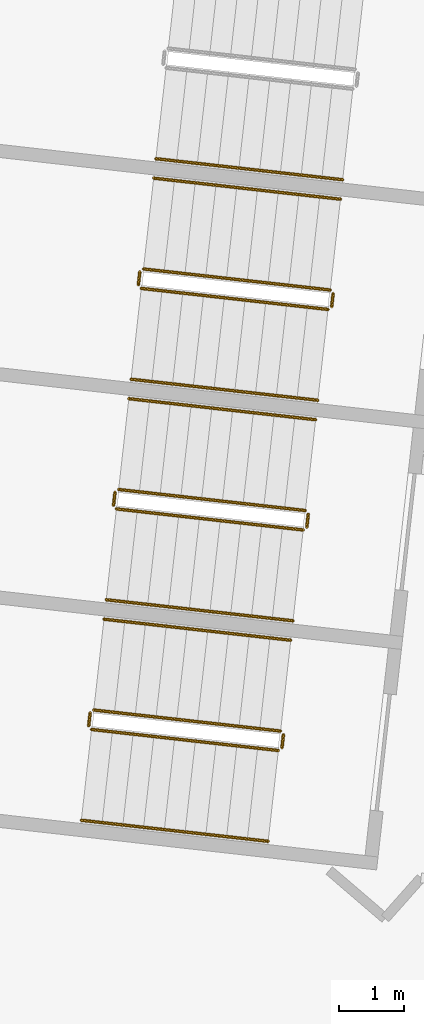
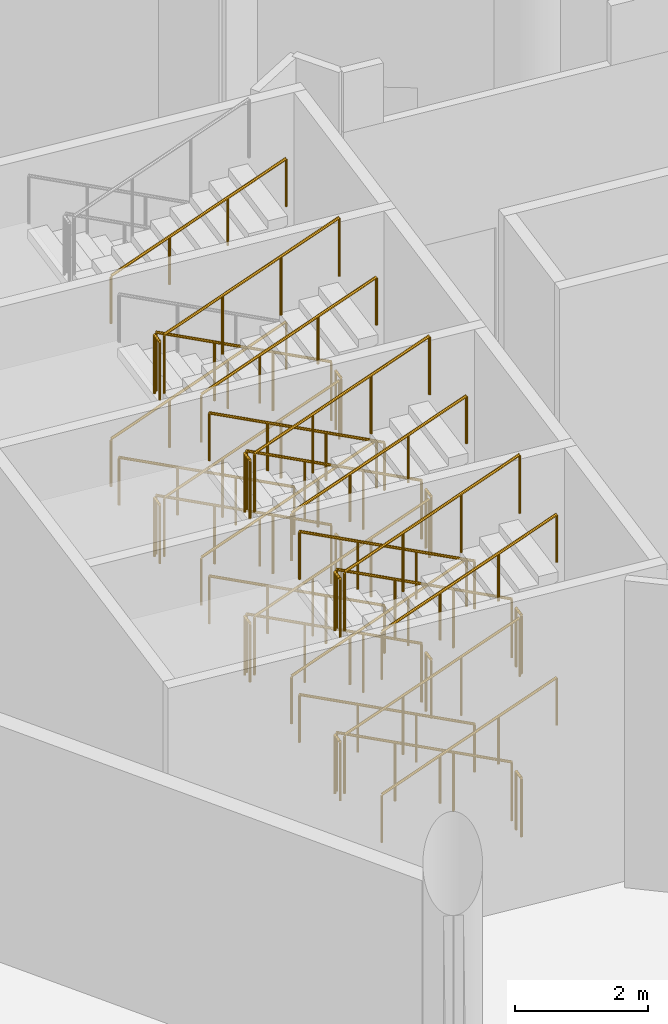
# One storey, part 231 of 249: 37 railings.
"""IFC4 building model written with IfcOpenShell, lengths in metres."""

from ifc_helpers import new_model, si_unit, direction, frame, origin, origin_2d, place, context, subcontext, project, spatial, circle, extrude, material, type_object, element, save


model = new_model("IFC4")

# Units and contexts
model_context = context("Model", 3, precision=1e-05, world=origin(), true_north=direction((0.0, 1.0)))
body_context = subcontext(model_context, "Body", "Model", "MODEL_VIEW")
ifc_project = project(units=[si_unit("LENGTHUNIT", "METRE"), si_unit("AREAUNIT", "SQUARE_METRE"), si_unit("VOLUMEUNIT", "CUBIC_METRE"), si_unit("PLANEANGLEUNIT", "RADIAN"), si_unit("MASSUNIT", "GRAM", prefix="KILO")], contexts=[model_context])

# Site, building, storey
site_placement = place(None, origin())
site = spatial("IfcSite", under=ifc_project, at=site_placement, CompositionType="ELEMENT")
building_placement = place(site_placement, origin())
building = spatial("IfcBuilding", under=site, at=building_placement, Name="Meseta Stadium", CompositionType="ELEMENT")
storey_placement = place(building_placement, frame((0.0, 0.0, 12.0)))
storey = spatial("IfcBuildingStorey", under=building, at=storey_placement, Name="L02", CompositionType="ELEMENT", Elevation=12.0)

# Railings
ifc_material_1 = material(Name="Steel S355", Category="steel")
railing_type_1 = type_object("IfcRailingType", Name="Stair guard 1100", PredefinedType="GUARDRAIL", material=ifc_material_1)
railing_1_placement = place(storey_placement, frame((-89.218017578125, 56.731201171875, 0.14990234375)))
element("IfcRailing", 1, at=railing_1_placement, inside=storey, type_object=railing_type_1, Name="ST58 L02 guard 1", PredefinedType="GUARDRAIL", context=body_context, shape_type="SweptSolid", body=[
    extrude(circle(Radius=0.02392578125, at=origin_2d()), frame((0.0, 0.0, 1.076171875), z_axis=(-0.899762522411, 0.101389259755, 0.424438006392), x_axis=(-0.11197578655, -0.993710935447, 0.0)), (0.0, 0.0, 1.0), 3.180908203125),
    extrude(circle(Radius=0.02099609375, at=origin_2d()), origin(), (0.0, 0.0, 1.0), 1.052001953125),
    extrude(circle(Radius=0.02099609375, at=origin_2d()), frame((-0.9541015625, 0.107421875, 0.449951171875)), (0.0, 0.0, 1.0), 1.052001953125),
    extrude(circle(Radius=0.02099609375, at=origin_2d()), frame((-1.907958984375, 0.215087890625, 0.900146484375)), (0.0, 0.0, 1.0), 1.052001953125),
    extrude(circle(Radius=0.02099609375, at=origin_2d()), frame((-2.862060546875, 0.322509765625, 1.35009765625)), (0.0, 0.0, 1.0), 1.052001953125),
])
railing_2_placement = place(storey_placement, frame((-92.13525390625, 57.009521484375, 1.5)))
element("IfcRailing", 2, at=railing_2_placement, inside=storey, type_object=railing_type_1, Name="ST58 L02 guard 2", PredefinedType="GUARDRAIL", context=body_context, shape_type="SweptSolid", body=[
    extrude(circle(Radius=0.02392578125, at=origin_2d()), frame((0.0, 0.0, 1.076171875), z_axis=(-0.112307083986, -0.993673547442, 0.0), x_axis=(0.993673547442, -0.112307083986, 0.0)), (0.0, 0.0, 1.0), 0.199951171875),
    extrude(circle(Radius=0.02099609375, at=origin_2d()), origin(), (0.0, 0.0, 1.0), 1.052001953125),
    extrude(circle(Radius=0.02099609375, at=origin_2d()), frame((-0.0224609375, -0.19873046875, 0.0)), (0.0, 0.0, 1.0), 1.052001953125),
])
railing_3_placement = place(storey_placement, frame((-92.113525390625, 56.755615234375, 1.64990234375)))
element("IfcRailing", 3, at=railing_3_placement, inside=storey, type_object=railing_type_1, Name="ST58 L02 guard 3", PredefinedType="GUARDRAIL", context=body_context, shape_type="SweptSolid", body=[
    extrude(circle(Radius=0.02392578125, at=origin_2d()), frame((0.0, 0.0, 1.076171875), z_axis=(0.899747905232, -0.10139626197, 0.424467319223), x_axis=(0.111985219376, 0.993709872468, 0.0)), (0.0, 0.0, 1.0), 3.1806640625),
    extrude(circle(Radius=0.02099609375, at=origin_2d()), origin(), (0.0, 0.0, 1.0), 1.052001953125),
    extrude(circle(Radius=0.02099609375, at=origin_2d()), frame((0.953857421875, -0.107421875, 0.449951171875)), (0.0, 0.0, 1.0), 1.052001953125),
    extrude(circle(Radius=0.02099609375, at=origin_2d()), frame((1.907958984375, -0.215087890625, 0.900146484375)), (0.0, 0.0, 1.0), 1.052001953125),
    extrude(circle(Radius=0.02099609375, at=origin_2d()), frame((2.86181640625, -0.322509765625, 1.35009765625)), (0.0, 0.0, 1.0), 1.052001953125),
])
railing_4_placement = place(storey_placement, frame((-89.174072265625, 56.676025390625, 3.0)))
element("IfcRailing", 4, at=railing_4_placement, inside=storey, type_object=railing_type_1, Name="ST58 L02 guard 4", PredefinedType="GUARDRAIL", context=body_context, shape_type="SweptSolid", body=[
    extrude(circle(Radius=0.02392578125, at=origin_2d()), frame((0.0, 0.0, 1.076171875), z_axis=(-0.111101504696, -0.993809063983, 0.0), x_axis=(0.993809063983, -0.111101504696, 0.0)), (0.0, 0.0, 1.0), 0.199951171875),
    extrude(circle(Radius=0.02099609375, at=origin_2d()), origin(), (0.0, 0.0, 1.0), 1.052001953125),
    extrude(circle(Radius=0.02099609375, at=origin_2d()), frame((-0.022216796875, -0.19873046875, 0.0)), (0.0, 0.0, 1.0), 1.052001953125),
])
railing_5_placement = place(storey_placement, frame((-89.218017578125, 56.731201171875, 3.14990234375)))
element("IfcRailing", 5, at=railing_5_placement, inside=storey, type_object=railing_type_1, Name="ST58 L02 guard 5", PredefinedType="GUARDRAIL", context=body_context, shape_type="SweptSolid", body=[
    extrude(circle(Radius=0.02392578125, at=origin_2d()), frame((0.0, 0.0, 1.076171875), z_axis=(-0.899762522411, 0.101389259755, 0.424438006392), x_axis=(-0.11197578655, -0.993710935447, 0.0)), (0.0, 0.0, 1.0), 3.180908203125),
    extrude(circle(Radius=0.02099609375, at=origin_2d()), origin(), (0.0, 0.0, 1.0), 1.052001953125),
    extrude(circle(Radius=0.02099609375, at=origin_2d()), frame((-0.9541015625, 0.107421875, 0.449951171875)), (0.0, 0.0, 1.0), 1.052001953125),
    extrude(circle(Radius=0.02099609375, at=origin_2d()), frame((-1.907958984375, 0.215087890625, 0.900146484375)), (0.0, 0.0, 1.0), 1.052001953125),
    extrude(circle(Radius=0.02099609375, at=origin_2d()), frame((-2.862060546875, 0.322509765625, 1.35009765625)), (0.0, 0.0, 1.0), 1.052001953125),
])
railing_6_placement = place(storey_placement, frame((-92.13525390625, 57.009521484375, 4.5)))
element("IfcRailing", 6, at=railing_6_placement, inside=storey, type_object=railing_type_1, Name="ST58 L02 guard 6", PredefinedType="GUARDRAIL", context=body_context, shape_type="SweptSolid", body=[
    extrude(circle(Radius=0.02392578125, at=origin_2d()), frame((0.0, 0.0, 1.076171875), z_axis=(-0.112307083986, -0.993673547442, 0.0), x_axis=(0.993673547442, -0.112307083986, 0.0)), (0.0, 0.0, 1.0), 0.199951171875),
    extrude(circle(Radius=0.02099609375, at=origin_2d()), origin(), (0.0, 0.0, 1.0), 1.052001953125),
    extrude(circle(Radius=0.02099609375, at=origin_2d()), frame((-0.0224609375, -0.19873046875, 0.0)), (0.0, 0.0, 1.0), 1.052001953125),
])
railing_7_placement = place(storey_placement, frame((-92.113525390625, 56.755615234375, 4.64990234375)))
element("IfcRailing", 7, at=railing_7_placement, inside=storey, type_object=railing_type_1, Name="ST58 L02 guard 7", PredefinedType="GUARDRAIL", context=body_context, shape_type="SweptSolid", body=[
    extrude(circle(Radius=0.02392578125, at=origin_2d()), frame((0.0, 0.0, 1.076171875), z_axis=(0.899747905232, -0.10139626197, 0.424467319223), x_axis=(0.111985219376, 0.993709872468, 0.0)), (0.0, 0.0, 1.0), 3.1806640625),
    extrude(circle(Radius=0.02099609375, at=origin_2d()), origin(), (0.0, 0.0, 1.0), 1.052001953125),
    extrude(circle(Radius=0.02099609375, at=origin_2d()), frame((0.953857421875, -0.107421875, 0.449951171875)), (0.0, 0.0, 1.0), 1.052001953125),
    extrude(circle(Radius=0.02099609375, at=origin_2d()), frame((1.907958984375, -0.215087890625, 0.900146484375)), (0.0, 0.0, 1.0), 1.052001953125),
    extrude(circle(Radius=0.02099609375, at=origin_2d()), frame((2.86181640625, -0.322509765625, 1.35009765625)), (0.0, 0.0, 1.0), 1.052001953125),
])
railing_8_placement = place(storey_placement, frame((-89.174072265625, 56.676025390625, 0.0)))
element("IfcRailing", 8, at=railing_8_placement, inside=storey, type_object=railing_type_1, Name="ST58 L02 guard 8", PredefinedType="GUARDRAIL", context=body_context, shape_type="SweptSolid", body=[
    extrude(circle(Radius=0.02392578125, at=origin_2d()), frame((0.0, 0.0, 1.076171875), z_axis=(-0.111101504696, -0.993809063983, 0.0), x_axis=(0.993809063983, -0.111101504696, 0.0)), (0.0, 0.0, 1.0), 0.199951171875),
    extrude(circle(Radius=0.02099609375, at=origin_2d()), origin(), (0.0, 0.0, 1.0), 1.052001953125),
    extrude(circle(Radius=0.02099609375, at=origin_2d()), frame((-0.022216796875, -0.19873046875, 0.0)), (0.0, 0.0, 1.0), 1.052001953125),
])
railing_9_placement = place(storey_placement, frame((-89.598876953125, 53.3525390625, 0.14990234375)))
element("IfcRailing", 9, at=railing_9_placement, inside=storey, type_object=railing_type_1, Name="ST59 L02 guard 1", PredefinedType="GUARDRAIL", context=body_context, shape_type="SweptSolid", body=[
    extrude(circle(Radius=0.02392578125, at=origin_2d()), frame((0.0, 0.0, 1.076171875), z_axis=(-0.899747905232, 0.10139626197, 0.424467319223), x_axis=(-0.111985219376, -0.993709872468, 0.0)), (0.0, 0.0, 1.0), 3.1806640625),
    extrude(circle(Radius=0.02099609375, at=origin_2d()), origin(), (0.0, 0.0, 1.0), 1.052001953125),
    extrude(circle(Radius=0.02099609375, at=origin_2d()), frame((-0.953857421875, 0.107421875, 0.449951171875)), (0.0, 0.0, 1.0), 1.052001953125),
    extrude(circle(Radius=0.02099609375, at=origin_2d()), frame((-1.907958984375, 0.215087890625, 0.900146484375)), (0.0, 0.0, 1.0), 1.052001953125),
    extrude(circle(Radius=0.02099609375, at=origin_2d()), frame((-2.86181640625, 0.322509765625, 1.35009765625)), (0.0, 0.0, 1.0), 1.052001953125),
])
railing_10_placement = place(storey_placement, frame((-92.515869140625, 53.630859375, 1.5)))
element("IfcRailing", 10, at=railing_10_placement, inside=storey, type_object=railing_type_1, Name="ST59 L02 guard 2", PredefinedType="GUARDRAIL", context=body_context, shape_type="SweptSolid", body=[
    extrude(circle(Radius=0.02392578125, at=origin_2d()), frame((0.0, 0.0, 1.076171875), z_axis=(-0.112307083986, -0.993673547442, 0.0), x_axis=(0.993673547442, -0.112307083986, 0.0)), (0.0, 0.0, 1.0), 0.199951171875),
    extrude(circle(Radius=0.02099609375, at=origin_2d()), origin(), (0.0, 0.0, 1.0), 1.052001953125),
    extrude(circle(Radius=0.02099609375, at=origin_2d()), frame((-0.0224609375, -0.19873046875, 0.0)), (0.0, 0.0, 1.0), 1.052001953125),
])
railing_11_placement = place(storey_placement, frame((-92.494140625, 53.376953125, 1.64990234375)))
element("IfcRailing", 11, at=railing_11_placement, inside=storey, type_object=railing_type_1, Name="ST59 L02 guard 3", PredefinedType="GUARDRAIL", context=body_context, shape_type="SweptSolid", body=[
    extrude(circle(Radius=0.02392578125, at=origin_2d()), frame((0.0, 0.0, 1.076171875), z_axis=(0.899747905232, -0.10139626197, 0.424467319223), x_axis=(0.111985219376, 0.993709872468, 0.0)), (0.0, 0.0, 1.0), 3.1806640625),
    extrude(circle(Radius=0.02099609375, at=origin_2d()), origin(), (0.0, 0.0, 1.0), 1.052001953125),
    extrude(circle(Radius=0.02099609375, at=origin_2d()), frame((0.953857421875, -0.107421875, 0.449951171875)), (0.0, 0.0, 1.0), 1.052001953125),
    extrude(circle(Radius=0.02099609375, at=origin_2d()), frame((1.907958984375, -0.215087890625, 0.900146484375)), (0.0, 0.0, 1.0), 1.052001953125),
    extrude(circle(Radius=0.02099609375, at=origin_2d()), frame((2.86181640625, -0.322509765625, 1.35009765625)), (0.0, 0.0, 1.0), 1.052001953125),
])
railing_12_placement = place(storey_placement, frame((-89.5546875, 53.29736328125, 3.0)))
element("IfcRailing", 12, at=railing_12_placement, inside=storey, type_object=railing_type_1, Name="ST59 L02 guard 4", PredefinedType="GUARDRAIL", context=body_context, shape_type="SweptSolid", body=[
    extrude(circle(Radius=0.02392578125, at=origin_2d()), frame((0.0, 0.0, 1.076171875), z_axis=(-0.112307083986, -0.993673547442, 0.0), x_axis=(0.993673547442, -0.112307083986, 0.0)), (0.0, 0.0, 1.0), 0.199951171875),
    extrude(circle(Radius=0.02099609375, at=origin_2d()), origin(), (0.0, 0.0, 1.0), 1.052001953125),
    extrude(circle(Radius=0.02099609375, at=origin_2d()), frame((-0.0224609375, -0.19873046875, 0.0)), (0.0, 0.0, 1.0), 1.052001953125),
])
railing_13_placement = place(storey_placement, frame((-89.598876953125, 53.3525390625, 3.14990234375)))
element("IfcRailing", 13, at=railing_13_placement, inside=storey, type_object=railing_type_1, Name="ST59 L02 guard 5", PredefinedType="GUARDRAIL", context=body_context, shape_type="SweptSolid", body=[
    extrude(circle(Radius=0.02392578125, at=origin_2d()), frame((0.0, 0.0, 1.076171875), z_axis=(-0.899747905232, 0.10139626197, 0.424467319223), x_axis=(-0.111985219376, -0.993709872468, 0.0)), (0.0, 0.0, 1.0), 3.1806640625),
    extrude(circle(Radius=0.02099609375, at=origin_2d()), origin(), (0.0, 0.0, 1.0), 1.052001953125),
    extrude(circle(Radius=0.02099609375, at=origin_2d()), frame((-0.953857421875, 0.107421875, 0.449951171875)), (0.0, 0.0, 1.0), 1.052001953125),
    extrude(circle(Radius=0.02099609375, at=origin_2d()), frame((-1.907958984375, 0.215087890625, 0.900146484375)), (0.0, 0.0, 1.0), 1.052001953125),
    extrude(circle(Radius=0.02099609375, at=origin_2d()), frame((-2.86181640625, 0.322509765625, 1.35009765625)), (0.0, 0.0, 1.0), 1.052001953125),
])
railing_14_placement = place(storey_placement, frame((-92.515869140625, 53.630859375, 4.5)))
element("IfcRailing", 14, at=railing_14_placement, inside=storey, type_object=railing_type_1, Name="ST59 L02 guard 6", PredefinedType="GUARDRAIL", context=body_context, shape_type="SweptSolid", body=[
    extrude(circle(Radius=0.02392578125, at=origin_2d()), frame((0.0, 0.0, 1.076171875), z_axis=(-0.112307083986, -0.993673547442, 0.0), x_axis=(0.993673547442, -0.112307083986, 0.0)), (0.0, 0.0, 1.0), 0.199951171875),
    extrude(circle(Radius=0.02099609375, at=origin_2d()), origin(), (0.0, 0.0, 1.0), 1.052001953125),
    extrude(circle(Radius=0.02099609375, at=origin_2d()), frame((-0.0224609375, -0.19873046875, 0.0)), (0.0, 0.0, 1.0), 1.052001953125),
])
railing_15_placement = place(storey_placement, frame((-92.494140625, 53.376953125, 4.64990234375)))
element("IfcRailing", 15, at=railing_15_placement, inside=storey, type_object=railing_type_1, Name="ST59 L02 guard 7", PredefinedType="GUARDRAIL", context=body_context, shape_type="SweptSolid", body=[
    extrude(circle(Radius=0.02392578125, at=origin_2d()), frame((0.0, 0.0, 1.076171875), z_axis=(0.899747905232, -0.10139626197, 0.424467319223), x_axis=(0.111985219376, 0.993709872468, 0.0)), (0.0, 0.0, 1.0), 3.1806640625),
    extrude(circle(Radius=0.02099609375, at=origin_2d()), origin(), (0.0, 0.0, 1.0), 1.052001953125),
    extrude(circle(Radius=0.02099609375, at=origin_2d()), frame((0.953857421875, -0.107421875, 0.449951171875)), (0.0, 0.0, 1.0), 1.052001953125),
    extrude(circle(Radius=0.02099609375, at=origin_2d()), frame((1.907958984375, -0.215087890625, 0.900146484375)), (0.0, 0.0, 1.0), 1.052001953125),
    extrude(circle(Radius=0.02099609375, at=origin_2d()), frame((2.86181640625, -0.322509765625, 1.35009765625)), (0.0, 0.0, 1.0), 1.052001953125),
])
railing_16_placement = place(storey_placement, frame((-89.5546875, 53.29736328125, 0.0)))
element("IfcRailing", 16, at=railing_16_placement, inside=storey, type_object=railing_type_1, Name="ST59 L02 guard 8", PredefinedType="GUARDRAIL", context=body_context, shape_type="SweptSolid", body=[
    extrude(circle(Radius=0.02392578125, at=origin_2d()), frame((0.0, 0.0, 1.076171875), z_axis=(-0.112307083986, -0.993673547442, 0.0), x_axis=(0.993673547442, -0.112307083986, 0.0)), (0.0, 0.0, 1.0), 0.199951171875),
    extrude(circle(Radius=0.02099609375, at=origin_2d()), origin(), (0.0, 0.0, 1.0), 1.052001953125),
    extrude(circle(Radius=0.02099609375, at=origin_2d()), frame((-0.0224609375, -0.19873046875, 0.0)), (0.0, 0.0, 1.0), 1.052001953125),
])
railing_17_placement = place(storey_placement, frame((-89.9794921875, 49.973876953125, 0.14990234375)))
element("IfcRailing", 17, at=railing_17_placement, inside=storey, type_object=railing_type_1, Name="ST60 L02 guard 1", PredefinedType="GUARDRAIL", context=body_context, shape_type="SweptSolid", body=[
    extrude(circle(Radius=0.02392578125, at=origin_2d()), frame((0.0, 0.0, 1.076171875), z_axis=(-0.899747905232, 0.10139626197, 0.424467319223), x_axis=(-0.111985219376, -0.993709872468, 0.0)), (0.0, 0.0, 1.0), 3.1806640625),
    extrude(circle(Radius=0.02099609375, at=origin_2d()), origin(), (0.0, 0.0, 1.0), 1.052001953125),
    extrude(circle(Radius=0.02099609375, at=origin_2d()), frame((-0.953857421875, 0.107421875, 0.449951171875)), (0.0, 0.0, 1.0), 1.052001953125),
    extrude(circle(Radius=0.02099609375, at=origin_2d()), frame((-1.907958984375, 0.215087890625, 0.900146484375)), (0.0, 0.0, 1.0), 1.052001953125),
    extrude(circle(Radius=0.02099609375, at=origin_2d()), frame((-2.86181640625, 0.322509765625, 1.35009765625)), (0.0, 0.0, 1.0), 1.052001953125),
])
railing_18_placement = place(storey_placement, frame((-92.896728515625, 50.25244140625, 1.5)))
element("IfcRailing", 18, at=railing_18_placement, inside=storey, type_object=railing_type_1, Name="ST60 L02 guard 2", PredefinedType="GUARDRAIL", context=body_context, shape_type="SweptSolid", body=[
    extrude(circle(Radius=0.02392578125, at=origin_2d()), frame((0.0, 0.0, 1.076171875), z_axis=(-0.111101504696, -0.993809063983, 0.0), x_axis=(0.993809063983, -0.111101504696, 0.0)), (0.0, 0.0, 1.0), 0.199951171875),
    extrude(circle(Radius=0.02099609375, at=origin_2d()), origin(), (0.0, 0.0, 1.0), 1.052001953125),
    extrude(circle(Radius=0.02099609375, at=origin_2d()), frame((-0.022216796875, -0.19873046875, 0.0)), (0.0, 0.0, 1.0), 1.052001953125),
])
railing_19_placement = place(storey_placement, frame((-92.875, 49.998291015625, 1.64990234375)))
element("IfcRailing", 19, at=railing_19_placement, inside=storey, type_object=railing_type_1, Name="ST60 L02 guard 3", PredefinedType="GUARDRAIL", context=body_context, shape_type="SweptSolid", body=[
    extrude(circle(Radius=0.02392578125, at=origin_2d()), frame((0.0, 0.0, 1.076171875), z_axis=(0.899762522411, -0.101389259755, 0.424438006392), x_axis=(0.11197578655, 0.993710935447, 0.0)), (0.0, 0.0, 1.0), 3.180908203125),
    extrude(circle(Radius=0.02099609375, at=origin_2d()), origin(), (0.0, 0.0, 1.0), 1.052001953125),
    extrude(circle(Radius=0.02099609375, at=origin_2d()), frame((0.9541015625, -0.107421875, 0.449951171875)), (0.0, 0.0, 1.0), 1.052001953125),
    extrude(circle(Radius=0.02099609375, at=origin_2d()), frame((1.907958984375, -0.215087890625, 0.900146484375)), (0.0, 0.0, 1.0), 1.052001953125),
    extrude(circle(Radius=0.02099609375, at=origin_2d()), frame((2.862060546875, -0.322509765625, 1.35009765625)), (0.0, 0.0, 1.0), 1.052001953125),
])
railing_20_placement = place(storey_placement, frame((-89.935302734375, 49.918701171875, 3.0)))
element("IfcRailing", 20, at=railing_20_placement, inside=storey, type_object=railing_type_1, Name="ST60 L02 guard 4", PredefinedType="GUARDRAIL", context=body_context, shape_type="SweptSolid", body=[
    extrude(circle(Radius=0.02392578125, at=origin_2d()), frame((0.0, 0.0, 1.076171875), z_axis=(-0.112307083986, -0.993673547442, 0.0), x_axis=(0.993673547442, -0.112307083986, 0.0)), (0.0, 0.0, 1.0), 0.199951171875),
    extrude(circle(Radius=0.02099609375, at=origin_2d()), origin(), (0.0, 0.0, 1.0), 1.052001953125),
    extrude(circle(Radius=0.02099609375, at=origin_2d()), frame((-0.0224609375, -0.19873046875, 0.0)), (0.0, 0.0, 1.0), 1.052001953125),
])
railing_21_placement = place(storey_placement, frame((-89.9794921875, 49.973876953125, 3.14990234375)))
element("IfcRailing", 21, at=railing_21_placement, inside=storey, type_object=railing_type_1, Name="ST60 L02 guard 5", PredefinedType="GUARDRAIL", context=body_context, shape_type="SweptSolid", body=[
    extrude(circle(Radius=0.02392578125, at=origin_2d()), frame((0.0, 0.0, 1.076171875), z_axis=(-0.899747905232, 0.10139626197, 0.424467319223), x_axis=(-0.111985219376, -0.993709872468, 0.0)), (0.0, 0.0, 1.0), 3.1806640625),
    extrude(circle(Radius=0.02099609375, at=origin_2d()), origin(), (0.0, 0.0, 1.0), 1.052001953125),
    extrude(circle(Radius=0.02099609375, at=origin_2d()), frame((-0.953857421875, 0.107421875, 0.449951171875)), (0.0, 0.0, 1.0), 1.052001953125),
    extrude(circle(Radius=0.02099609375, at=origin_2d()), frame((-1.907958984375, 0.215087890625, 0.900146484375)), (0.0, 0.0, 1.0), 1.052001953125),
    extrude(circle(Radius=0.02099609375, at=origin_2d()), frame((-2.86181640625, 0.322509765625, 1.35009765625)), (0.0, 0.0, 1.0), 1.052001953125),
])
railing_22_placement = place(storey_placement, frame((-92.896728515625, 50.25244140625, 4.5)))
element("IfcRailing", 22, at=railing_22_placement, inside=storey, type_object=railing_type_1, Name="ST60 L02 guard 6", PredefinedType="GUARDRAIL", context=body_context, shape_type="SweptSolid", body=[
    extrude(circle(Radius=0.02392578125, at=origin_2d()), frame((0.0, 0.0, 1.076171875), z_axis=(-0.111101504696, -0.993809063983, 0.0), x_axis=(0.993809063983, -0.111101504696, 0.0)), (0.0, 0.0, 1.0), 0.199951171875),
    extrude(circle(Radius=0.02099609375, at=origin_2d()), origin(), (0.0, 0.0, 1.0), 1.052001953125),
    extrude(circle(Radius=0.02099609375, at=origin_2d()), frame((-0.022216796875, -0.19873046875, 0.0)), (0.0, 0.0, 1.0), 1.052001953125),
])
railing_23_placement = place(storey_placement, frame((-92.875, 49.998291015625, 4.64990234375)))
element("IfcRailing", 23, at=railing_23_placement, inside=storey, type_object=railing_type_1, Name="ST60 L02 guard 7", PredefinedType="GUARDRAIL", context=body_context, shape_type="SweptSolid", body=[
    extrude(circle(Radius=0.02392578125, at=origin_2d()), frame((0.0, 0.0, 1.076171875), z_axis=(0.899762522411, -0.101389259755, 0.424438006392), x_axis=(0.11197578655, 0.993710935447, 0.0)), (0.0, 0.0, 1.0), 3.180908203125),
    extrude(circle(Radius=0.02099609375, at=origin_2d()), origin(), (0.0, 0.0, 1.0), 1.052001953125),
    extrude(circle(Radius=0.02099609375, at=origin_2d()), frame((0.9541015625, -0.107421875, 0.449951171875)), (0.0, 0.0, 1.0), 1.052001953125),
    extrude(circle(Radius=0.02099609375, at=origin_2d()), frame((1.907958984375, -0.215087890625, 0.900146484375)), (0.0, 0.0, 1.0), 1.052001953125),
    extrude(circle(Radius=0.02099609375, at=origin_2d()), frame((2.862060546875, -0.322509765625, 1.35009765625)), (0.0, 0.0, 1.0), 1.052001953125),
])
railing_24_placement = place(storey_placement, frame((-89.935302734375, 49.918701171875, 0.0)))
element("IfcRailing", 24, at=railing_24_placement, inside=storey, type_object=railing_type_1, Name="ST60 L02 guard 8", PredefinedType="GUARDRAIL", context=body_context, shape_type="SweptSolid", body=[
    extrude(circle(Radius=0.02392578125, at=origin_2d()), frame((0.0, 0.0, 1.076171875), z_axis=(-0.112307083986, -0.993673547442, 0.0), x_axis=(0.993673547442, -0.112307083986, 0.0)), (0.0, 0.0, 1.0), 0.199951171875),
    extrude(circle(Radius=0.02099609375, at=origin_2d()), origin(), (0.0, 0.0, 1.0), 1.052001953125),
    extrude(circle(Radius=0.02099609375, at=origin_2d()), frame((-0.0224609375, -0.19873046875, 0.0)), (0.0, 0.0, 1.0), 1.052001953125),
])
ifc_material_2 = material(Name="Steel S355", Category="steel")
railing_type_2 = type_object("IfcRailingType", Name="Stair handrail 900", PredefinedType="HANDRAIL", material=ifc_material_2)
for number, where, name in (
    (25, (-91.8896484375, 58.742919921875, 1.64990234375), "ST57 L02 handrail 2"),
    (26, (-91.8896484375, 58.742919921875, 4.64990234375), "ST57 L02 handrail 4"),
):
    element("IfcRailing", number, at=place(storey_placement, frame(where)), inside=storey, type_object=railing_type_2, Name=name, PredefinedType="HANDRAIL", context=body_context, shape_type="SweptSolid", body=[
        extrude(circle(Radius=0.02392578125, at=origin_2d()), frame((0.0, 0.0, 0.8759765625), z_axis=(0.899747905232, -0.10139626197, 0.424467319223), x_axis=(0.111985219376, 0.993709872468, 0.0)), (0.0, 0.0, 1.0), 3.1806640625),
        extrude(circle(Radius=0.02099609375, at=origin_2d()), origin(), (0.0, 0.0, 1.0), 0.851806640625),
        extrude(circle(Radius=0.02099609375, at=origin_2d()), frame((0.953857421875, -0.107421875, 0.449951171875)), (0.0, 0.0, 1.0), 0.851806640625),
        extrude(circle(Radius=0.02099609375, at=origin_2d()), frame((1.907958984375, -0.215087890625, 0.900146484375)), (0.0, 0.0, 1.0), 0.851806640625),
        extrude(circle(Radius=0.02099609375, at=origin_2d()), frame((2.86181640625, -0.322509765625, 1.35009765625)), (0.0, 0.0, 1.0), 0.851806640625),
    ])
railing_25_placement = place(storey_placement, frame((-89.061279296875, 58.122314453125, 0.14990234375)))
element("IfcRailing", 27, at=railing_25_placement, inside=storey, type_object=railing_type_2, Name="ST58 L02 handrail 1", PredefinedType="HANDRAIL", context=body_context, shape_type="SweptSolid", body=[
    extrude(circle(Radius=0.02392578125, at=origin_2d()), frame((0.0, 0.0, 0.8759765625), z_axis=(-0.899762522411, 0.101389259755, 0.424438006392), x_axis=(-0.11197578655, -0.993710935447, 0.0)), (0.0, 0.0, 1.0), 3.180908203125),
    extrude(circle(Radius=0.02099609375, at=origin_2d()), origin(), (0.0, 0.0, 1.0), 0.851806640625),
    extrude(circle(Radius=0.02099609375, at=origin_2d()), frame((-0.9541015625, 0.107421875, 0.449951171875)), (0.0, 0.0, 1.0), 0.851806640625),
    extrude(circle(Radius=0.02099609375, at=origin_2d()), frame((-1.907958984375, 0.215087890625, 0.900146484375)), (0.0, 0.0, 1.0), 0.851806640625),
    extrude(circle(Radius=0.02099609375, at=origin_2d()), frame((-2.862060546875, 0.322509765625, 1.35009765625)), (0.0, 0.0, 1.0), 0.851806640625),
])
for number, where, name in (
    (28, (-92.270263671875, 55.3642578125, 1.64990234375), "ST58 L02 handrail 2"),
    (29, (-92.270263671875, 55.3642578125, 4.64990234375), "ST58 L02 handrail 4"),
):
    element("IfcRailing", number, at=place(storey_placement, frame(where)), inside=storey, type_object=railing_type_2, Name=name, PredefinedType="HANDRAIL", context=body_context, shape_type="SweptSolid", body=[
        extrude(circle(Radius=0.02392578125, at=origin_2d()), frame((0.0, 0.0, 0.8759765625), z_axis=(0.899754905305, -0.101320293039, 0.424470621595), x_axis=(0.111901508232, 0.993719302648, 0.0)), (0.0, 0.0, 1.0), 3.1806640625),
        extrude(circle(Radius=0.02099609375, at=origin_2d()), origin(), (0.0, 0.0, 1.0), 0.851806640625),
        extrude(circle(Radius=0.02099609375, at=origin_2d()), frame((0.953857421875, -0.107421875, 0.449951171875)), (0.0, 0.0, 1.0), 0.851806640625),
        extrude(circle(Radius=0.02099609375, at=origin_2d()), frame((1.907958984375, -0.21484375, 0.900146484375)), (0.0, 0.0, 1.0), 0.851806640625),
        extrude(circle(Radius=0.02099609375, at=origin_2d()), frame((2.86181640625, -0.322265625, 1.35009765625)), (0.0, 0.0, 1.0), 0.851806640625),
    ])
railing_26_placement = place(storey_placement, frame((-89.442138671875, 54.743896484375, 0.14990234375)))
element("IfcRailing", 30, at=railing_26_placement, inside=storey, type_object=railing_type_2, Name="ST59 L02 handrail 1", PredefinedType="HANDRAIL", context=body_context, shape_type="SweptSolid", body=[
    extrude(circle(Radius=0.02392578125, at=origin_2d()), frame((0.0, 0.0, 0.8759765625), z_axis=(-0.899754905305, 0.101320293039, 0.424470621595), x_axis=(-0.111901508232, -0.993719302648, 0.0)), (0.0, 0.0, 1.0), 3.1806640625),
    extrude(circle(Radius=0.02099609375, at=origin_2d()), origin(), (0.0, 0.0, 1.0), 0.851806640625),
    extrude(circle(Radius=0.02099609375, at=origin_2d()), frame((-0.953857421875, 0.107421875, 0.449951171875)), (0.0, 0.0, 1.0), 0.851806640625),
    extrude(circle(Radius=0.02099609375, at=origin_2d()), frame((-1.907958984375, 0.21484375, 0.900146484375)), (0.0, 0.0, 1.0), 0.851806640625),
    extrude(circle(Radius=0.02099609375, at=origin_2d()), frame((-2.86181640625, 0.322265625, 1.35009765625)), (0.0, 0.0, 1.0), 0.851806640625),
])
railing_27_placement = place(storey_placement, frame((-92.65087890625, 51.98583984375, 1.64990234375)))
element("IfcRailing", 31, at=railing_27_placement, inside=storey, type_object=railing_type_2, Name="ST59 L02 handrail 2", PredefinedType="HANDRAIL", context=body_context, shape_type="SweptSolid", body=[
    extrude(circle(Radius=0.02392578125, at=origin_2d()), frame((0.0, 0.0, 0.8759765625), z_axis=(0.899747905232, -0.10139626197, 0.424467319223), x_axis=(0.111985219376, 0.993709872468, 0.0)), (0.0, 0.0, 1.0), 3.1806640625),
    extrude(circle(Radius=0.02099609375, at=origin_2d()), origin(), (0.0, 0.0, 1.0), 0.851806640625),
    extrude(circle(Radius=0.02099609375, at=origin_2d()), frame((0.953857421875, -0.107421875, 0.449951171875)), (0.0, 0.0, 1.0), 0.851806640625),
    extrude(circle(Radius=0.02099609375, at=origin_2d()), frame((1.907958984375, -0.215087890625, 0.900146484375)), (0.0, 0.0, 1.0), 0.851806640625),
    extrude(circle(Radius=0.02099609375, at=origin_2d()), frame((2.86181640625, -0.322509765625, 1.35009765625)), (0.0, 0.0, 1.0), 0.851806640625),
])
railing_28_placement = place(storey_placement, frame((-89.442138671875, 54.743896484375, 3.14990234375)))
element("IfcRailing", 32, at=railing_28_placement, inside=storey, type_object=railing_type_2, Name="ST59 L02 handrail 3", PredefinedType="HANDRAIL", context=body_context, shape_type="SweptSolid", body=[
    extrude(circle(Radius=0.02392578125, at=origin_2d()), frame((0.0, 0.0, 0.8759765625), z_axis=(-0.899754905305, 0.101320293039, 0.424470621595), x_axis=(-0.111901508232, -0.993719302648, 0.0)), (0.0, 0.0, 1.0), 3.1806640625),
    extrude(circle(Radius=0.02099609375, at=origin_2d()), origin(), (0.0, 0.0, 1.0), 0.851806640625),
    extrude(circle(Radius=0.02099609375, at=origin_2d()), frame((-0.953857421875, 0.107421875, 0.449951171875)), (0.0, 0.0, 1.0), 0.851806640625),
    extrude(circle(Radius=0.02099609375, at=origin_2d()), frame((-1.907958984375, 0.21484375, 0.900146484375)), (0.0, 0.0, 1.0), 0.851806640625),
    extrude(circle(Radius=0.02099609375, at=origin_2d()), frame((-2.86181640625, 0.322265625, 1.35009765625)), (0.0, 0.0, 1.0), 0.851806640625),
])
railing_29_placement = place(storey_placement, frame((-92.65087890625, 51.98583984375, 4.64990234375)))
element("IfcRailing", 33, at=railing_29_placement, inside=storey, type_object=railing_type_2, Name="ST59 L02 handrail 4", PredefinedType="HANDRAIL", context=body_context, shape_type="SweptSolid", body=[
    extrude(circle(Radius=0.02392578125, at=origin_2d()), frame((0.0, 0.0, 0.8759765625), z_axis=(0.899747905232, -0.10139626197, 0.424467319223), x_axis=(0.111985219376, 0.993709872468, 0.0)), (0.0, 0.0, 1.0), 3.1806640625),
    extrude(circle(Radius=0.02099609375, at=origin_2d()), origin(), (0.0, 0.0, 1.0), 0.851806640625),
    extrude(circle(Radius=0.02099609375, at=origin_2d()), frame((0.953857421875, -0.107421875, 0.449951171875)), (0.0, 0.0, 1.0), 0.851806640625),
    extrude(circle(Radius=0.02099609375, at=origin_2d()), frame((1.907958984375, -0.215087890625, 0.900146484375)), (0.0, 0.0, 1.0), 0.851806640625),
    extrude(circle(Radius=0.02099609375, at=origin_2d()), frame((2.86181640625, -0.322509765625, 1.35009765625)), (0.0, 0.0, 1.0), 0.851806640625),
])
railing_30_placement = place(storey_placement, frame((-89.82275390625, 51.365234375, 0.14990234375)))
element("IfcRailing", 34, at=railing_30_placement, inside=storey, type_object=railing_type_2, Name="ST60 L02 handrail 1", PredefinedType="HANDRAIL", context=body_context, shape_type="SweptSolid", body=[
    extrude(circle(Radius=0.02392578125, at=origin_2d()), frame((0.0, 0.0, 0.8759765625), z_axis=(-0.899747905232, 0.10139626197, 0.424467319223), x_axis=(-0.111985219376, -0.993709872468, 0.0)), (0.0, 0.0, 1.0), 3.1806640625),
    extrude(circle(Radius=0.02099609375, at=origin_2d()), origin(), (0.0, 0.0, 1.0), 0.851806640625),
    extrude(circle(Radius=0.02099609375, at=origin_2d()), frame((-0.953857421875, 0.107421875, 0.449951171875)), (0.0, 0.0, 1.0), 0.851806640625),
    extrude(circle(Radius=0.02099609375, at=origin_2d()), frame((-1.907958984375, 0.215087890625, 0.900146484375)), (0.0, 0.0, 1.0), 0.851806640625),
    extrude(circle(Radius=0.02099609375, at=origin_2d()), frame((-2.86181640625, 0.322509765625, 1.35009765625)), (0.0, 0.0, 1.0), 0.851806640625),
])
railing_31_placement = place(storey_placement, frame((-93.03173828125, 48.607177734375, 1.64990234375)))
element("IfcRailing", 35, at=railing_31_placement, inside=storey, type_object=railing_type_2, Name="ST60 L02 handrail 2", PredefinedType="HANDRAIL", context=body_context, shape_type="SweptSolid", body=[
    extrude(circle(Radius=0.02392578125, at=origin_2d()), frame((0.0, 0.0, 0.8759765625), z_axis=(0.899762522411, -0.101389259755, 0.424438006392), x_axis=(0.11197578655, 0.993710935447, 0.0)), (0.0, 0.0, 1.0), 3.180908203125),
    extrude(circle(Radius=0.02099609375, at=origin_2d()), origin(), (0.0, 0.0, 1.0), 0.851806640625),
    extrude(circle(Radius=0.02099609375, at=origin_2d()), frame((0.9541015625, -0.107421875, 0.449951171875)), (0.0, 0.0, 1.0), 0.851806640625),
    extrude(circle(Radius=0.02099609375, at=origin_2d()), frame((1.907958984375, -0.215087890625, 0.900146484375)), (0.0, 0.0, 1.0), 0.851806640625),
    extrude(circle(Radius=0.02099609375, at=origin_2d()), frame((2.862060546875, -0.322509765625, 1.35009765625)), (0.0, 0.0, 1.0), 0.851806640625),
])
railing_32_placement = place(storey_placement, frame((-89.82275390625, 51.365234375, 3.14990234375)))
element("IfcRailing", 36, at=railing_32_placement, inside=storey, type_object=railing_type_2, Name="ST60 L02 handrail 3", PredefinedType="HANDRAIL", context=body_context, shape_type="SweptSolid", body=[
    extrude(circle(Radius=0.02392578125, at=origin_2d()), frame((0.0, 0.0, 0.8759765625), z_axis=(-0.899747905232, 0.10139626197, 0.424467319223), x_axis=(-0.111985219376, -0.993709872468, 0.0)), (0.0, 0.0, 1.0), 3.1806640625),
    extrude(circle(Radius=0.02099609375, at=origin_2d()), origin(), (0.0, 0.0, 1.0), 0.851806640625),
    extrude(circle(Radius=0.02099609375, at=origin_2d()), frame((-0.953857421875, 0.107421875, 0.449951171875)), (0.0, 0.0, 1.0), 0.851806640625),
    extrude(circle(Radius=0.02099609375, at=origin_2d()), frame((-1.907958984375, 0.215087890625, 0.900146484375)), (0.0, 0.0, 1.0), 0.851806640625),
    extrude(circle(Radius=0.02099609375, at=origin_2d()), frame((-2.86181640625, 0.322509765625, 1.35009765625)), (0.0, 0.0, 1.0), 0.851806640625),
])
railing_33_placement = place(storey_placement, frame((-93.03173828125, 48.607177734375, 4.64990234375)))
element("IfcRailing", 37, at=railing_33_placement, inside=storey, type_object=railing_type_2, Name="ST60 L02 handrail 4", PredefinedType="HANDRAIL", context=body_context, shape_type="SweptSolid", body=[
    extrude(circle(Radius=0.02392578125, at=origin_2d()), frame((0.0, 0.0, 0.8759765625), z_axis=(0.899762522411, -0.101389259755, 0.424438006392), x_axis=(0.11197578655, 0.993710935447, 0.0)), (0.0, 0.0, 1.0), 3.180908203125),
    extrude(circle(Radius=0.02099609375, at=origin_2d()), origin(), (0.0, 0.0, 1.0), 0.851806640625),
    extrude(circle(Radius=0.02099609375, at=origin_2d()), frame((0.9541015625, -0.107421875, 0.449951171875)), (0.0, 0.0, 1.0), 0.851806640625),
    extrude(circle(Radius=0.02099609375, at=origin_2d()), frame((1.907958984375, -0.215087890625, 0.900146484375)), (0.0, 0.0, 1.0), 0.851806640625),
    extrude(circle(Radius=0.02099609375, at=origin_2d()), frame((2.862060546875, -0.322509765625, 1.35009765625)), (0.0, 0.0, 1.0), 0.851806640625),
])

save(model, "model.ifc")
